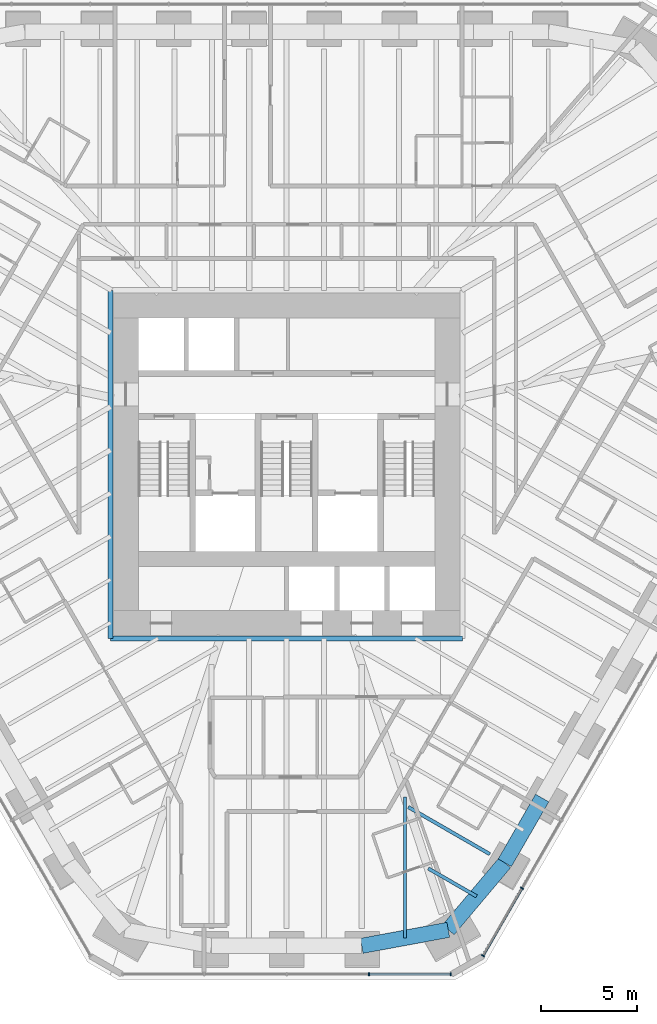
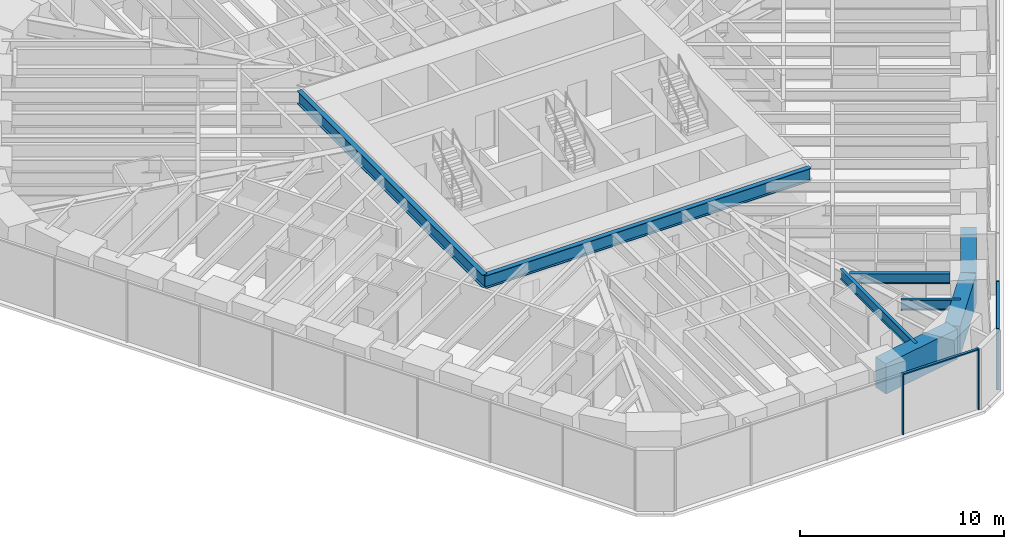
# One storey, part 4 of 17: 8 beams, 6 members, 2 elements without a shape of their own.
"""IFC4 building model written with IfcOpenShell, lengths in metres."""

from ifc_helpers import new_model, si_unit, direction, frame, origin, origin_2d, place, context, subcontext, project, spatial, rectangle, i_section, extrude, material, material_profile, profile_set, type_object, element, aggregate, save


model = new_model("IFC4")

# Units and contexts
model_context = context("Model", 3, precision=1e-05, world=origin(), true_north=direction((0.0, 1.0)))
body_context = subcontext(model_context, "Body", "Model", "MODEL_VIEW")
ifc_project = project(units=[si_unit("LENGTHUNIT", "METRE"), si_unit("AREAUNIT", "SQUARE_METRE"), si_unit("VOLUMEUNIT", "CUBIC_METRE"), si_unit("PLANEANGLEUNIT", "RADIAN"), si_unit("MASSUNIT", "GRAM", prefix="KILO")], contexts=[model_context])

# Site, building, storey
site_placement = place(None, origin())
site = spatial("IfcSite", under=ifc_project, at=site_placement, CompositionType="ELEMENT")
building_placement = place(site_placement, origin())
building = spatial("IfcBuilding", under=site, at=building_placement, Name="Sandreach Pilgrim Tower", CompositionType="ELEMENT")
storey_placement = place(building_placement, frame((0.0, 0.0, 150.0)))
storey = spatial("IfcBuildingStorey", under=building, at=storey_placement, Name="L37", CompositionType="ELEMENT", Elevation=150.0)

# Curtain wall, members
ifc_material_1 = material(Name="Aluminium framed curtain wall", Category="aluminium")
curtain_wall_type = type_object("IfcCurtainWallType", Name="Hotel tower curtain wall", PredefinedType="NOTDEFINED", material=ifc_material_1)
curtain_wall_1_placement = place(storey_placement, origin())
curtain_wall_1 = element("IfcCurtainWall", 1, at=curtain_wall_1_placement, inside=storey, type_object=curtain_wall_type, Name="CW-2 L37 SE", PredefinedType="NOTDEFINED")
ifc_material_2 = material(Name="Aluminium extrusion", Category="aluminium")
ifc_material_profile_1 = material_profile(ifc_material_2, rectangle(XDim=0.06494140625, YDim=0.179931640625, at=origin_2d()), Name="CW-2M 65X180")
ifc_profile_set_1 = profile_set([ifc_material_profile_1], Name="Aluminium extrusion")
member_type_1 = type_object("IfcMemberType", Name="CW-2 mullion", PredefinedType="MULLION", material=ifc_profile_set_1)
member_1_placement = place(storey_placement, frame((12.29296875, -23.695556640625, 0.0), z_axis=(0.0, 0.0, 1.0), x_axis=(-0.5, -0.866025403784, 0.0)))
member_1 = element("IfcMember", 2, at=member_1_placement, type_object=member_type_1, Name="CW-2 mullion 9", PredefinedType="MULLION", context=body_context, shape_type="SweptSolid", body=[
    extrude(rectangle(XDim=0.06494140625, YDim=0.179931640625, at=origin_2d()), origin(), (0.0, 0.0, 1.0), 3.639892578125),
])
member_2_placement = place(storey_placement, frame((10.255859375, -27.22412109375, 0.0), z_axis=(0.0, 0.0, 1.0), x_axis=(-0.5, -0.866025403784, 0.0)))
member_2 = element("IfcMember", 3, at=member_2_placement, type_object=member_type_1, Name="CW-2 mullion 10", PredefinedType="MULLION", context=body_context, shape_type="SweptSolid", body=[
    extrude(rectangle(XDim=0.06494140625, YDim=0.179931640625, at=origin_2d()), origin(), (0.0, 0.0, 1.0), 3.639892578125),
])

curtain_wall_2_placement = place(storey_placement, origin())
curtain_wall_2 = element("IfcCurtainWall", 4, at=curtain_wall_2_placement, inside=storey, type_object=curtain_wall_type, Name="CW-2 L37 S", PredefinedType="NOTDEFINED")
member_3_placement = place(storey_placement, frame((8.578857421875, -28.192138671875, 0.0), z_axis=(0.0, 0.0, 1.0), x_axis=(-1.0, 0.0, 0.0)))
member_3 = element("IfcMember", 5, at=member_3_placement, type_object=member_type_1, Name="CW-2 mullion 1", PredefinedType="MULLION", context=body_context, shape_type="SweptSolid", body=[
    extrude(rectangle(XDim=0.06494140625, YDim=0.179931640625, at=origin_2d()), origin(), (0.0, 0.0, 1.0), 3.639892578125),
])
member_4_placement = place(storey_placement, frame((4.3056640625, -28.192138671875, 0.0), z_axis=(0.0, 0.0, 1.0), x_axis=(-1.0, 0.0, 0.0)))
member_4 = element("IfcMember", 6, at=member_4_placement, type_object=member_type_1, Name="CW-2 mullion 2", PredefinedType="MULLION", context=body_context, shape_type="SweptSolid", body=[
    extrude(rectangle(XDim=0.06494140625, YDim=0.179931640625, at=origin_2d()), origin(), (0.0, 0.0, 1.0), 3.639892578125),
])

# Member
ifc_material_3 = material(Name="Aluminium extrusion", Category="aluminium")
ifc_material_profile_2 = material_profile(ifc_material_3, rectangle(XDim=0.139892578125, YDim=0.070068359375, at=origin_2d()), Name="CW-2T 140X70")
ifc_profile_set_2 = profile_set([ifc_material_profile_2], Name="Aluminium extrusion")
member_type_2 = type_object("IfcMemberType", Name="CW-2 transom", PredefinedType="USERDEFINED", material=ifc_profile_set_2)
member_5_placement = place(storey_placement, frame((12.27685546875, -23.7236328125, 3.60498046875), z_axis=(-0.500015851672, -0.866016251624, 0.0), x_axis=(0.866016251624, -0.500015851672, 0.0)))
member_5 = element("IfcMember", 7, at=member_5_placement, type_object=member_type_2, Name="CW-2 head transom 9", ObjectType="TRANSOM", PredefinedType="USERDEFINED", context=body_context, shape_type="SweptSolid", body=[
    extrude(rectangle(XDim=0.139892578125, YDim=0.070068359375, at=origin_2d()), origin(), (0.0, 0.0, 1.0), 4.009521484375),
])

aggregate(curtain_wall_1, [member_1, member_2, member_5])

member_6_placement = place(storey_placement, frame((8.54638671875, -28.192138671875, 3.60498046875), z_axis=(-1.0, 0.0, 0.0), x_axis=(0.0, -1.0, 0.0)))
member_6 = element("IfcMember", 8, at=member_6_placement, type_object=member_type_2, Name="CW-2 head transom 1", ObjectType="TRANSOM", PredefinedType="USERDEFINED", context=body_context, shape_type="SweptSolid", body=[
    extrude(rectangle(XDim=0.139892578125, YDim=0.070068359375, at=origin_2d()), origin(), (0.0, 0.0, 1.0), 4.208251953125),
])

aggregate(curtain_wall_2, [member_3, member_4, member_6])

# Beams
ifc_material_4 = material(Name="Steel ASTM A992 Grade 50", Category="steel")
ifc_material_profile_3 = material_profile(ifc_material_4, i_section(OverallWidth=0.2666015625, OverallDepth=0.77978515625, WebThickness=0.0166015625, FlangeThickness=0.030029296875, at=origin_2d()), Name="W30X148")
ifc_profile_set_3 = profile_set([ifc_material_profile_3], Name="Steel ASTM A992 Grade 50")
beam_type_1 = type_object("IfcBeamType", Name="Core edge beam W30X148", PredefinedType="BEAM", material=ifc_profile_set_3)
beam_1_placement = place(storey_placement, frame((9.193359375, -10.643310546875, 3.25), z_axis=(-1.0, 0.0, 0.0), x_axis=(0.0, -1.0, 0.0)))
element("IfcBeam", 9, at=beam_1_placement, inside=storey, type_object=beam_type_1, Name="BM L37 CES", PredefinedType="BEAM", context=body_context, shape_type="SweptSolid", body=[
    extrude(i_section(OverallWidth=0.2666015625, OverallDepth=0.77978515625, WebThickness=0.0166015625, FlangeThickness=0.030029296875, at=origin_2d()), origin(), (0.0, 0.0, 1.0), 18.38671875),
])
beam_2_placement = place(storey_placement, frame((-9.193359375, -10.643310546875, 3.25), z_axis=(0.0, 1.0, 0.0), x_axis=(-1.0, 0.0, 0.0)))
element("IfcBeam", 10, at=beam_2_placement, inside=storey, type_object=beam_type_1, Name="BM L37 CEW", PredefinedType="BEAM", context=body_context, shape_type="SweptSolid", body=[
    extrude(i_section(OverallWidth=0.2666015625, OverallDepth=0.77978515625, WebThickness=0.0166015625, FlangeThickness=0.030029296875, at=origin_2d()), origin(), (0.0, 0.0, 1.0), 18.186767578125),
])
ifc_material_5 = material(Name="Steel ASTM A992 Grade 50", Category="steel")
ifc_material_profile_4 = material_profile(ifc_material_5, i_section(OverallWidth=0.1787109375, OverallDepth=0.60205078125, WebThickness=0.010986328125, FlangeThickness=0.014892578125, at=origin_2d()), Name="W24X62")
ifc_profile_set_4 = profile_set([ifc_material_profile_4], Name="Steel ASTM A992 Grade 50")
beam_type_2 = type_object("IfcBeamType", Name="Floor beam W24X62", PredefinedType="BEAM", material=ifc_profile_set_4)
beam_3_placement = place(storey_placement, frame((10.617431640625, -21.918212890625, 3.339111328125), z_axis=(-0.866032927668, 0.499986968025, 0.0), x_axis=(-0.499986968025, -0.866032927668, 0.0)))
element("IfcBeam", 11, at=beam_3_placement, inside=storey, type_object=beam_type_2, Name="BM L37 F21", PredefinedType="BEAM", context=body_context, shape_type="SweptSolid", body=[
    extrude(i_section(OverallWidth=0.1787109375, OverallDepth=0.60205078125, WebThickness=0.010986328125, FlangeThickness=0.014892578125, at=origin_2d()), origin(), (0.0, 0.0, 1.0), 4.927001953125),
])
beam_4_placement = place(storey_placement, frame((9.9208984375, -24.119873046875, 3.339111328125), z_axis=(-0.866037657489, 0.499978775361, 0.0), x_axis=(-0.499978775361, -0.866037657489, 0.0)))
element("IfcBeam", 12, at=beam_4_placement, inside=storey, type_object=beam_type_2, Name="BM L37 FM21", PredefinedType="BEAM", context=body_context, shape_type="SweptSolid", body=[
    extrude(i_section(OverallWidth=0.1787109375, OverallDepth=0.60205078125, WebThickness=0.010986328125, FlangeThickness=0.014892578125, at=origin_2d()), origin(), (0.0, 0.0, 1.0), 2.913330078125),
])
beam_5_placement = place(storey_placement, frame((6.183837890625, -26.28955078125, 3.339111328125), z_axis=(0.0, 1.0, 0.0), x_axis=(-1.0, 0.0, 0.0)))
element("IfcBeam", 13, at=beam_5_placement, inside=storey, type_object=beam_type_2, Name="BM L37 FM22", PredefinedType="BEAM", context=body_context, shape_type="SweptSolid", body=[
    extrude(i_section(OverallWidth=0.1787109375, OverallDepth=0.60205078125, WebThickness=0.010986328125, FlangeThickness=0.014892578125, at=origin_2d()), origin(), (0.0, 0.0, 1.0), 7.345947265625),
])
ifc_material_6 = material(Name="Concrete 10000 psi", Category="concrete")
ifc_material_profile_5 = material_profile(ifc_material_6, rectangle(XDim=0.800048828125, YDim=1.800048828125, at=origin_2d()), Name="RC800X1800")
ifc_profile_set_5 = profile_set([ifc_material_profile_5], Name="Concrete 10000 psi")
beam_type_3 = type_object("IfcBeamType", Name="Spandrel beam RC800X1800", PredefinedType="SPANDREL", material=ifc_profile_set_5)
beam_6_placement = place(storey_placement, frame((13.35009765625, -18.985107421875, 2.739990234375), z_axis=(-0.500003748129, -0.866023239791, 0.0), x_axis=(0.866023239791, -0.500003748129, 0.0)))
element("IfcBeam", 14, at=beam_6_placement, inside=storey, type_object=beam_type_3, Name="BM L37 SP20", PredefinedType="SPANDREL", context=body_context, shape_type="SweptSolid", body=[
    extrude(rectangle(XDim=0.800048828125, YDim=1.800048828125, at=origin_2d()), origin(), (0.0, 0.0, 1.0), 3.90673828125),
])
beam_7_placement = place(storey_placement, frame((11.396728515625, -22.368408203125, 2.739990234375), z_axis=(-0.644311342191, -0.764763293002, 0.0), x_axis=(0.764763293002, -0.644311342191, 0.0)))
element("IfcBeam", 15, at=beam_7_placement, inside=storey, type_object=beam_type_3, Name="BM L37 SP21", PredefinedType="SPANDREL", context=body_context, shape_type="SweptSolid", body=[
    extrude(rectangle(XDim=0.800048828125, YDim=1.800048828125, at=origin_2d()), origin(), (0.0, 0.0, 1.0), 4.580810546875),
])
beam_8_placement = place(storey_placement, frame((8.4453125, -25.87158203125, 2.739990234375), z_axis=(-0.983347758389, -0.18173383304, 0.0), x_axis=(0.18173383304, -0.983347758389, 0.0)))
element("IfcBeam", 16, at=beam_8_placement, inside=storey, type_object=beam_type_3, Name="BM L37 SP22", PredefinedType="SPANDREL", context=body_context, shape_type="SweptSolid", body=[
    extrude(rectangle(XDim=0.800048828125, YDim=1.800048828125, at=origin_2d()), origin(), (0.0, 0.0, 1.0), 4.599853515625),
])

save(model, "model.ifc")
